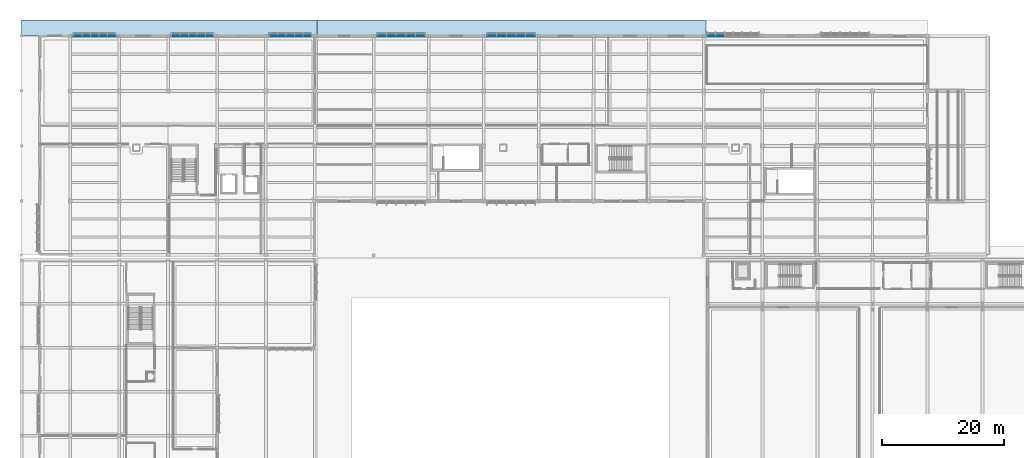
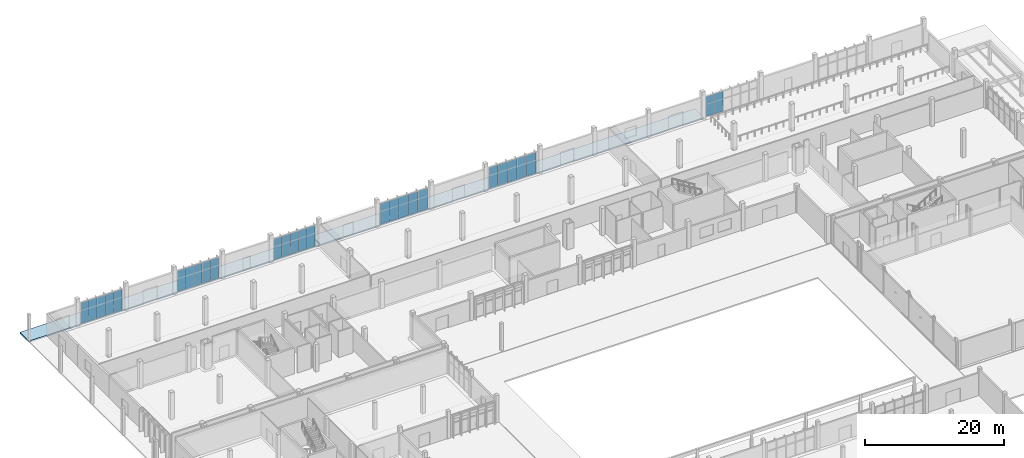
# One storey, part 112 of 151: 27 plates, 2 slabs, 6 elements without a shape of their own.
"""IFC4 building model written with IfcOpenShell, lengths in metres."""

from ifc_helpers import new_model, si_unit, direction, frame, origin, origin_2d, place, context, subcontext, project, spatial, polyline, rectangle, outline, extrude, material, layer, layer_set, type_object, element, aggregate, save


model = new_model("IFC4")

# Units and contexts
model_context = context("Model", 3, precision=1e-05, world=origin(), true_north=direction((0.0, 1.0)))
body_context = subcontext(model_context, "Body", "Model", "MODEL_VIEW")
ifc_project = project(units=[si_unit("LENGTHUNIT", "METRE"), si_unit("AREAUNIT", "SQUARE_METRE"), si_unit("VOLUMEUNIT", "CUBIC_METRE"), si_unit("PLANEANGLEUNIT", "RADIAN"), si_unit("MASSUNIT", "GRAM", prefix="KILO")], contexts=[model_context])

# Site, building, storey
site_placement = place(None, origin())
site = spatial("IfcSite", under=ifc_project, at=site_placement, CompositionType="ELEMENT")
building_placement = place(site_placement, origin())
building = spatial("IfcBuilding", under=site, at=building_placement, Name="Chiffa Square Polytechnic", CompositionType="ELEMENT")
storey_placement = place(building_placement, origin())
storey = spatial("IfcBuildingStorey", under=building, at=storey_placement, Name="L00", CompositionType="ELEMENT", Elevation=0.0)

# Curtain wall, plates
ifc_material_1 = material(Name="Aluminium EN AW-6060 T66 and glulam shading", Category="wood")
curtain_wall_type_1 = type_object("IfcCurtainWallType", Name="CW-VERT-450X380", PredefinedType="USERDEFINED", material=ifc_material_1)
curtain_wall_1_placement = place(storey_placement, origin())
curtain_wall_1 = element("IfcCurtainWall", 1, at=curtain_wall_1_placement, inside=storey, type_object=curtain_wall_type_1, Name="Curtain wall CW-V5-L00-194", ObjectType="CURTAIN WALL", PredefinedType="USERDEFINED")
ifc_material_2 = material(Name="Double glazing", Category="glass")
ifc_layer_1 = layer(ifc_material_2, 0.035888671875, Name="Double glazing")
ifc_layer_set_1 = layer_set([ifc_layer_1], Name="Double glazing")
plate_type_1 = type_object("IfcPlateType", Name="CWP-GLZ-120X145", PredefinedType="CURTAIN_PANEL", material=ifc_layer_set_1)
plate_1_placement = place(storey_placement, frame((65.257080078125, 130.800048828125, 0.04931640625), z_axis=(0.0, 0.0, 1.0), x_axis=(-1.0, 0.0, 0.0)))
plate_1 = element("IfcPlate", 2, at=plate_1_placement, type_object=plate_type_1, Name="Glazed curtain panel CW-V5-L00-194-PN01", PredefinedType="CURTAIN_PANEL", context=body_context, shape_type="SweptSolid", body=[
    extrude(rectangle(XDim=1.510009765625, YDim=0.035888671875, at=origin_2d()), origin(), (0.0, 0.0, 1.0), 3.655029296875),
])
plate_2_placement = place(storey_placement, frame((63.68408203125, 130.800048828125, 0.04931640625), z_axis=(0.0, 0.0, 1.0), x_axis=(-1.0, 0.0, 0.0)))
plate_2 = element("IfcPlate", 3, at=plate_2_placement, type_object=plate_type_1, Name="Glazed curtain panel CW-V5-L00-194-PN02", PredefinedType="CURTAIN_PANEL", context=body_context, shape_type="SweptSolid", body=[
    extrude(rectangle(XDim=1.531982421875, YDim=0.035888671875, at=origin_2d()), origin(), (0.0, 0.0, 1.0), 3.655029296875),
])
plate_3_placement = place(storey_placement, frame((62.10009765625, 130.800048828125, 0.04931640625), z_axis=(0.0, 0.0, 1.0), x_axis=(-1.0, 0.0, 0.0)))
plate_3 = element("IfcPlate", 4, at=plate_3_placement, type_object=plate_type_1, Name="Glazed curtain panel CW-V5-L00-194-PN03", PredefinedType="CURTAIN_PANEL", context=body_context, shape_type="SweptSolid", body=[
    extrude(rectangle(XDim=1.531982421875, YDim=0.035888671875, at=origin_2d()), origin(), (0.0, 0.0, 1.0), 3.655029296875),
])
plate_4_placement = place(storey_placement, frame((60.51611328125, 130.800048828125, 0.04931640625), z_axis=(0.0, 0.0, 1.0), x_axis=(-1.0, 0.0, 0.0)))
plate_4 = element("IfcPlate", 5, at=plate_4_placement, type_object=plate_type_1, Name="Glazed curtain panel CW-V5-L00-194-PN04", PredefinedType="CURTAIN_PANEL", context=body_context, shape_type="SweptSolid", body=[
    extrude(rectangle(XDim=1.531982421875, YDim=0.035888671875, at=origin_2d()), origin(), (0.0, 0.0, 1.0), 3.655029296875),
])
plate_5_placement = place(storey_placement, frame((58.943115234375, 130.800048828125, 0.04931640625), z_axis=(0.0, 0.0, 1.0), x_axis=(-1.0, 0.0, 0.0)))
plate_5 = element("IfcPlate", 6, at=plate_5_placement, type_object=plate_type_1, Name="Glazed curtain panel CW-V5-L00-194-PN05", PredefinedType="CURTAIN_PANEL", context=body_context, shape_type="SweptSolid", body=[
    extrude(rectangle(XDim=1.510009765625, YDim=0.035888671875, at=origin_2d()), origin(), (0.0, 0.0, 1.0), 3.655029296875),
])
aggregate(curtain_wall_1, [plate_1, plate_2, plate_3, plate_4, plate_5])

curtain_wall_type_2 = type_object("IfcCurtainWallType", Name="CW-VERT-360X380", PredefinedType="USERDEFINED", material=ifc_material_1)
curtain_wall_2_placement = place(storey_placement, origin())
curtain_wall_2 = element("IfcCurtainWall", 7, at=curtain_wall_2_placement, inside=storey, type_object=curtain_wall_type_2, Name="Curtain wall CW-V5-L00-197", ObjectType="CURTAIN WALL", PredefinedType="USERDEFINED")
ifc_layer_2 = layer(ifc_material_2, 0.0380859375, Name="Double glazing")
ifc_layer_set_2 = layer_set([ifc_layer_2], Name="Double glazing")
plate_type_2 = type_object("IfcPlateType", Name="CWP-GLZ-146X138", PredefinedType="CURTAIN_PANEL", material=ifc_layer_set_2)
plate_6_placement = place(storey_placement, frame((14.757080078125, 130.800048828125, 0.04931640625), z_axis=(0.0, 0.0, 1.0), x_axis=(-1.0, 0.0, 0.0)))
plate_6 = element("IfcPlate", 8, at=plate_6_placement, type_object=plate_type_2, Name="Glazed curtain panel CW-V5-L00-197-PN01", PredefinedType="CURTAIN_PANEL", context=body_context, shape_type="SweptSolid", body=[
    extrude(rectangle(XDim=1.31005859375, YDim=0.0380859375, at=origin_2d()), origin(), (0.0, 0.0, 1.0), 3.655029296875),
])
plate_7_placement = place(storey_placement, frame((13.384033203125, 130.800048828125, 0.04931640625), z_axis=(0.0, 0.0, 1.0), x_axis=(-1.0, 0.0, 0.0)))
plate_7 = element("IfcPlate", 9, at=plate_7_placement, type_object=plate_type_2, Name="Glazed curtain panel CW-V5-L00-197-PN02", PredefinedType="CURTAIN_PANEL", context=body_context, shape_type="SweptSolid", body=[
    extrude(rectangle(XDim=1.33203125, YDim=0.0380859375, at=origin_2d()), origin(), (0.0, 0.0, 1.0), 3.655029296875),
])
plate_8_placement = place(storey_placement, frame((12.0, 130.800048828125, 0.04931640625), z_axis=(0.0, 0.0, 1.0), x_axis=(-1.0, 0.0, 0.0)))
plate_8 = element("IfcPlate", 10, at=plate_8_placement, type_object=plate_type_2, Name="Glazed curtain panel CW-V5-L00-197-PN03", PredefinedType="CURTAIN_PANEL", context=body_context, shape_type="SweptSolid", body=[
    extrude(rectangle(XDim=1.33203125, YDim=0.0380859375, at=origin_2d()), origin(), (0.0, 0.0, 1.0), 3.655029296875),
])
plate_9_placement = place(storey_placement, frame((10.615966796875, 130.800048828125, 0.04931640625), z_axis=(0.0, 0.0, 1.0), x_axis=(-1.0, 0.0, 0.0)))
plate_9 = element("IfcPlate", 11, at=plate_9_placement, type_object=plate_type_2, Name="Glazed curtain panel CW-V5-L00-197-PN04", PredefinedType="CURTAIN_PANEL", context=body_context, shape_type="SweptSolid", body=[
    extrude(rectangle(XDim=1.33203125, YDim=0.0380859375, at=origin_2d()), origin(), (0.0, 0.0, 1.0), 3.655029296875),
])
plate_10_placement = place(storey_placement, frame((9.242919921875, 130.800048828125, 0.04931640625), z_axis=(0.0, 0.0, 1.0), x_axis=(-1.0, 0.0, 0.0)))
plate_10 = element("IfcPlate", 12, at=plate_10_placement, type_object=plate_type_2, Name="Glazed curtain panel CW-V5-L00-197-PN05", PredefinedType="CURTAIN_PANEL", context=body_context, shape_type="SweptSolid", body=[
    extrude(rectangle(XDim=1.31005859375, YDim=0.0380859375, at=origin_2d()), origin(), (0.0, 0.0, 1.0), 3.655029296875),
])
aggregate(curtain_wall_2, [plate_6, plate_7, plate_8, plate_9, plate_10])

curtain_wall_type_3 = type_object("IfcCurtainWallType", Name="CW-VERT-600X380", PredefinedType="USERDEFINED", material=ifc_material_1)
curtain_wall_3_placement = place(storey_placement, origin())
curtain_wall_3 = element("IfcCurtainWall", 13, at=curtain_wall_3_placement, inside=storey, type_object=curtain_wall_type_3, Name="Curtain wall CW-V5-L00-196", ObjectType="CURTAIN WALL", PredefinedType="USERDEFINED")
ifc_layer_3 = layer(ifc_material_2, 0.0380859375, Name="Double glazing")
ifc_layer_set_3 = layer_set([ifc_layer_3], Name="Double glazing")
plate_type_3 = type_object("IfcPlateType", Name="CWP-GLZ-148X142", PredefinedType="CURTAIN_PANEL", material=ifc_layer_set_3)
plate_11_placement = place(storey_placement, frame((30.757080078125, 130.800048828125, 0.04931640625), z_axis=(0.0, 0.0, 1.0), x_axis=(-1.0, 0.0, 0.0)))
plate_11 = element("IfcPlate", 14, at=plate_11_placement, type_object=plate_type_3, Name="Glazed curtain panel CW-V5-L00-196-PN01", PredefinedType="CURTAIN_PANEL", context=body_context, shape_type="SweptSolid", body=[
    extrude(rectangle(XDim=1.31005859375, YDim=0.0380859375, at=origin_2d()), origin(), (0.0, 0.0, 1.0), 3.655029296875),
])
plate_12_placement = place(storey_placement, frame((29.384033203125, 130.800048828125, 0.04931640625), z_axis=(0.0, 0.0, 1.0), x_axis=(-1.0, 0.0, 0.0)))
plate_12 = element("IfcPlate", 15, at=plate_12_placement, type_object=plate_type_3, Name="Glazed curtain panel CW-V5-L00-196-PN02", PredefinedType="CURTAIN_PANEL", context=body_context, shape_type="SweptSolid", body=[
    extrude(rectangle(XDim=1.33203125, YDim=0.0380859375, at=origin_2d()), origin(), (0.0, 0.0, 1.0), 3.655029296875),
])
plate_13_placement = place(storey_placement, frame((28.0, 130.800048828125, 0.04931640625), z_axis=(0.0, 0.0, 1.0), x_axis=(-1.0, 0.0, 0.0)))
plate_13 = element("IfcPlate", 16, at=plate_13_placement, type_object=plate_type_3, Name="Glazed curtain panel CW-V5-L00-196-PN03", PredefinedType="CURTAIN_PANEL", context=body_context, shape_type="SweptSolid", body=[
    extrude(rectangle(XDim=1.33203125, YDim=0.0380859375, at=origin_2d()), origin(), (0.0, 0.0, 1.0), 3.655029296875),
])
plate_14_placement = place(storey_placement, frame((26.615966796875, 130.800048828125, 0.04931640625), z_axis=(0.0, 0.0, 1.0), x_axis=(-1.0, 0.0, 0.0)))
plate_14 = element("IfcPlate", 17, at=plate_14_placement, type_object=plate_type_3, Name="Glazed curtain panel CW-V5-L00-196-PN04", PredefinedType="CURTAIN_PANEL", context=body_context, shape_type="SweptSolid", body=[
    extrude(rectangle(XDim=1.33203125, YDim=0.0380859375, at=origin_2d()), origin(), (0.0, 0.0, 1.0), 3.655029296875),
])
plate_15_placement = place(storey_placement, frame((25.242919921875, 130.800048828125, 0.04931640625), z_axis=(0.0, 0.0, 1.0), x_axis=(-1.0, 0.0, 0.0)))
plate_15 = element("IfcPlate", 18, at=plate_15_placement, type_object=plate_type_3, Name="Glazed curtain panel CW-V5-L00-196-PN05", PredefinedType="CURTAIN_PANEL", context=body_context, shape_type="SweptSolid", body=[
    extrude(rectangle(XDim=1.31005859375, YDim=0.0380859375, at=origin_2d()), origin(), (0.0, 0.0, 1.0), 3.655029296875),
])
aggregate(curtain_wall_3, [plate_11, plate_12, plate_13, plate_14, plate_15])

curtain_wall_type_4 = type_object("IfcCurtainWallType", Name="CW-VERT-600X440", PredefinedType="USERDEFINED", material=ifc_material_1)
curtain_wall_4_placement = place(storey_placement, origin())
curtain_wall_4 = element("IfcCurtainWall", 19, at=curtain_wall_4_placement, inside=storey, type_object=curtain_wall_type_4, Name="Curtain wall CW-V5-L00-193", ObjectType="CURTAIN WALL", PredefinedType="USERDEFINED")
ifc_layer_4 = layer(ifc_material_2, 0.035888671875, Name="Double glazing")
ifc_layer_set_4 = layer_set([ifc_layer_4], Name="Double glazing")
plate_type_4 = type_object("IfcPlateType", Name="CWP-GLZ-150X125", PredefinedType="CURTAIN_PANEL", material=ifc_layer_set_4)
plate_16_placement = place(storey_placement, frame((83.257080078125, 130.800048828125, 0.04931640625), z_axis=(0.0, 0.0, 1.0), x_axis=(-1.0, 0.0, 0.0)))
plate_16 = element("IfcPlate", 20, at=plate_16_placement, type_object=plate_type_4, Name="Glazed curtain panel CW-V5-L00-193-PN01", PredefinedType="CURTAIN_PANEL", context=body_context, shape_type="SweptSolid", body=[
    extrude(rectangle(XDim=1.510009765625, YDim=0.035888671875, at=origin_2d()), origin(), (0.0, 0.0, 1.0), 3.655029296875),
])
plate_17_placement = place(storey_placement, frame((81.68408203125, 130.800048828125, 0.04931640625), z_axis=(0.0, 0.0, 1.0), x_axis=(-1.0, 0.0, 0.0)))
plate_17 = element("IfcPlate", 21, at=plate_17_placement, type_object=plate_type_4, Name="Glazed curtain panel CW-V5-L00-193-PN02", PredefinedType="CURTAIN_PANEL", context=body_context, shape_type="SweptSolid", body=[
    extrude(rectangle(XDim=1.531982421875, YDim=0.035888671875, at=origin_2d()), origin(), (0.0, 0.0, 1.0), 3.655029296875),
])
plate_18_placement = place(storey_placement, frame((80.10009765625, 130.800048828125, 0.04931640625), z_axis=(0.0, 0.0, 1.0), x_axis=(-1.0, 0.0, 0.0)))
plate_18 = element("IfcPlate", 22, at=plate_18_placement, type_object=plate_type_4, Name="Glazed curtain panel CW-V5-L00-193-PN03", PredefinedType="CURTAIN_PANEL", context=body_context, shape_type="SweptSolid", body=[
    extrude(rectangle(XDim=1.531982421875, YDim=0.035888671875, at=origin_2d()), origin(), (0.0, 0.0, 1.0), 3.655029296875),
])
plate_19_placement = place(storey_placement, frame((78.51611328125, 130.800048828125, 0.04931640625), z_axis=(0.0, 0.0, 1.0), x_axis=(-1.0, 0.0, 0.0)))
plate_19 = element("IfcPlate", 23, at=plate_19_placement, type_object=plate_type_4, Name="Glazed curtain panel CW-V5-L00-193-PN04", PredefinedType="CURTAIN_PANEL", context=body_context, shape_type="SweptSolid", body=[
    extrude(rectangle(XDim=1.531982421875, YDim=0.035888671875, at=origin_2d()), origin(), (0.0, 0.0, 1.0), 3.655029296875),
])
plate_20_placement = place(storey_placement, frame((76.943115234375, 130.800048828125, 0.04931640625), z_axis=(0.0, 0.0, 1.0), x_axis=(-1.0, 0.0, 0.0)))
plate_20 = element("IfcPlate", 24, at=plate_20_placement, type_object=plate_type_4, Name="Glazed curtain panel CW-V5-L00-193-PN05", PredefinedType="CURTAIN_PANEL", context=body_context, shape_type="SweptSolid", body=[
    extrude(rectangle(XDim=1.510009765625, YDim=0.035888671875, at=origin_2d()), origin(), (0.0, 0.0, 1.0), 3.655029296875),
])
aggregate(curtain_wall_4, [plate_16, plate_17, plate_18, plate_19, plate_20])

curtain_wall_type_5 = type_object("IfcCurtainWallType", Name="CW-VERT-450X440", PredefinedType="USERDEFINED", material=ifc_material_1)
curtain_wall_5_placement = place(storey_placement, origin())
curtain_wall_5 = element("IfcCurtainWall", 25, at=curtain_wall_5_placement, inside=storey, type_object=curtain_wall_type_5, Name="Curtain wall CW-V5-L00-192", ObjectType="CURTAIN WALL", PredefinedType="USERDEFINED")
ifc_layer_5 = layer(ifc_material_2, 0.035888671875, Name="Double glazing")
ifc_layer_set_5 = layer_set([ifc_layer_5], Name="Double glazing")
plate_type_5 = type_object("IfcPlateType", Name="CWP-GLZ-150X145", PredefinedType="CURTAIN_PANEL", material=ifc_layer_set_5)
plate_21_placement = place(storey_placement, frame((114.27001953125, 130.800048828125, 0.049560546875), z_axis=(0.0, 0.0, 1.0), x_axis=(-1.0, 0.0, 0.0)))
plate_21 = element("IfcPlate", 26, at=plate_21_placement, type_object=plate_type_5, Name="Glazed curtain panel CW-V5-L00-192-PN05", PredefinedType="CURTAIN_PANEL", context=body_context, shape_type="SweptSolid", body=[
    extrude(rectangle(XDim=1.367919921875, YDim=0.035888671875, at=origin_2d()), origin(), (0.0, 0.0, 1.0), 3.5048828125),
])
plate_22_placement = place(storey_placement, frame((112.861083984375, 130.800048828125, 0.049560546875), z_axis=(0.0, 0.0, 1.0), x_axis=(-1.0, 0.0, 0.0)))
plate_22 = element("IfcPlate", 27, at=plate_22_placement, type_object=plate_type_5, Name="Glazed curtain panel CW-V5-L00-192-PN06", PredefinedType="CURTAIN_PANEL", context=body_context, shape_type="SweptSolid", body=[
    extrude(rectangle(XDim=1.345947265625, YDim=0.035888671875, at=origin_2d()), origin(), (0.0, 0.0, 1.0), 3.5048828125),
])
aggregate(curtain_wall_5, [plate_21, plate_22])

curtain_wall_type_6 = type_object("IfcCurtainWallType", Name="CW-VERT-300X380", PredefinedType="USERDEFINED", material=ifc_material_1)
curtain_wall_6_placement = place(storey_placement, origin())
curtain_wall_6 = element("IfcCurtainWall", 28, at=curtain_wall_6_placement, inside=storey, type_object=curtain_wall_type_6, Name="Curtain wall CW-V5-L00-195", ObjectType="CURTAIN WALL", PredefinedType="USERDEFINED")
ifc_layer_6 = layer(ifc_material_2, 0.035888671875, Name="Double glazing")
ifc_layer_set_6 = layer_set([ifc_layer_6], Name="Double glazing")
plate_type_6 = type_object("IfcPlateType", Name="CWP-GLZ-180X140", PredefinedType="CURTAIN_PANEL", material=ifc_layer_set_6)
plate_23_placement = place(storey_placement, frame((46.757080078125, 130.800048828125, 0.04931640625), z_axis=(0.0, 0.0, 1.0), x_axis=(-1.0, 0.0, 0.0)))
plate_23 = element("IfcPlate", 29, at=plate_23_placement, type_object=plate_type_6, Name="Glazed curtain panel CW-V5-L00-195-PN01", PredefinedType="CURTAIN_PANEL", context=body_context, shape_type="SweptSolid", body=[
    extrude(rectangle(XDim=1.31005859375, YDim=0.035888671875, at=origin_2d()), origin(), (0.0, 0.0, 1.0), 3.655029296875),
])
plate_24_placement = place(storey_placement, frame((45.384033203125, 130.800048828125, 0.04931640625), z_axis=(0.0, 0.0, 1.0), x_axis=(-1.0, 0.0, 0.0)))
plate_24 = element("IfcPlate", 30, at=plate_24_placement, type_object=plate_type_6, Name="Glazed curtain panel CW-V5-L00-195-PN02", PredefinedType="CURTAIN_PANEL", context=body_context, shape_type="SweptSolid", body=[
    extrude(rectangle(XDim=1.33203125, YDim=0.035888671875, at=origin_2d()), origin(), (0.0, 0.0, 1.0), 3.655029296875),
])
plate_25_placement = place(storey_placement, frame((44.0, 130.800048828125, 0.04931640625), z_axis=(0.0, 0.0, 1.0), x_axis=(-1.0, 0.0, 0.0)))
plate_25 = element("IfcPlate", 31, at=plate_25_placement, type_object=plate_type_6, Name="Glazed curtain panel CW-V5-L00-195-PN03", PredefinedType="CURTAIN_PANEL", context=body_context, shape_type="SweptSolid", body=[
    extrude(rectangle(XDim=1.33203125, YDim=0.035888671875, at=origin_2d()), origin(), (0.0, 0.0, 1.0), 3.655029296875),
])
plate_26_placement = place(storey_placement, frame((42.615966796875, 130.800048828125, 0.04931640625), z_axis=(0.0, 0.0, 1.0), x_axis=(-1.0, 0.0, 0.0)))
plate_26 = element("IfcPlate", 32, at=plate_26_placement, type_object=plate_type_6, Name="Glazed curtain panel CW-V5-L00-195-PN04", PredefinedType="CURTAIN_PANEL", context=body_context, shape_type="SweptSolid", body=[
    extrude(rectangle(XDim=1.33203125, YDim=0.035888671875, at=origin_2d()), origin(), (0.0, 0.0, 1.0), 3.655029296875),
])
plate_27_placement = place(storey_placement, frame((41.242919921875, 130.800048828125, 0.04931640625), z_axis=(0.0, 0.0, 1.0), x_axis=(-1.0, 0.0, 0.0)))
plate_27 = element("IfcPlate", 33, at=plate_27_placement, type_object=plate_type_6, Name="Glazed curtain panel CW-V5-L00-195-PN05", PredefinedType="CURTAIN_PANEL", context=body_context, shape_type="SweptSolid", body=[
    extrude(rectangle(XDim=1.31005859375, YDim=0.035888671875, at=origin_2d()), origin(), (0.0, 0.0, 1.0), 3.655029296875),
])
aggregate(curtain_wall_6, [plate_23, plate_24, plate_25, plate_26, plate_27])

# Slabs
ifc_material_3 = material(Name="Limestone paving on compacted sub-base", Category="masonry")
ifc_layer_7 = layer(ifc_material_3, 0.239990234375, Name="Limestone paving on compacted sub-base")
ifc_layer_set_7 = layer_set([ifc_layer_7], Name="Limestone paving on compacted sub-base")
slab_type = type_object("IfcSlabType", Name="SLB-APRON-BASE-240", PredefinedType="FLOOR", material=ifc_layer_set_7)
slab_1_placement = place(storey_placement, frame((0.0, 0.0, -0.239990234375)))
element("IfcSlab", 34, at=slab_1_placement, inside=storey, type_object=slab_type, Name="Exterior colonnade and yard apron SLB-APRON-V5-N", PredefinedType="FLOOR", context=body_context, shape_type="SweptSolid", body=[
    extrude(outline(polyline([(0.0, 133.39990234375), (48.25, 133.39990234375), (48.25, 130.81201171875), (0.0, 130.81201171875), (0.0, 133.39990234375)])), origin(), (0.0, 0.0, 1.0), 0.239990234375),
])
slab_2_placement = place(storey_placement, frame((0.0, 0.0, -0.239990234375)))
element("IfcSlab", 35, at=slab_2_placement, inside=storey, type_object=slab_type, Name="Exterior colonnade and yard apron SLB-APRON-V5-N-2", PredefinedType="FLOOR", context=body_context, shape_type="SweptSolid", body=[
    extrude(outline(polyline([(48.35009765625, 133.39990234375), (111.85009765625, 133.39990234375), (111.85009765625, 130.81201171875), (48.35009765625, 130.81201171875), (48.35009765625, 133.39990234375)])), origin(), (0.0, 0.0, 1.0), 0.239990234375),
])

save(model, "model.ifc")
